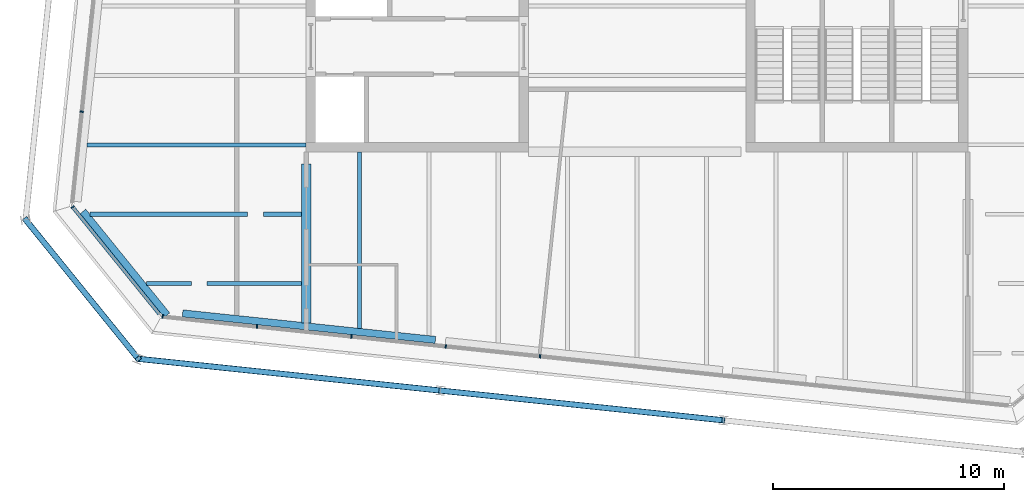
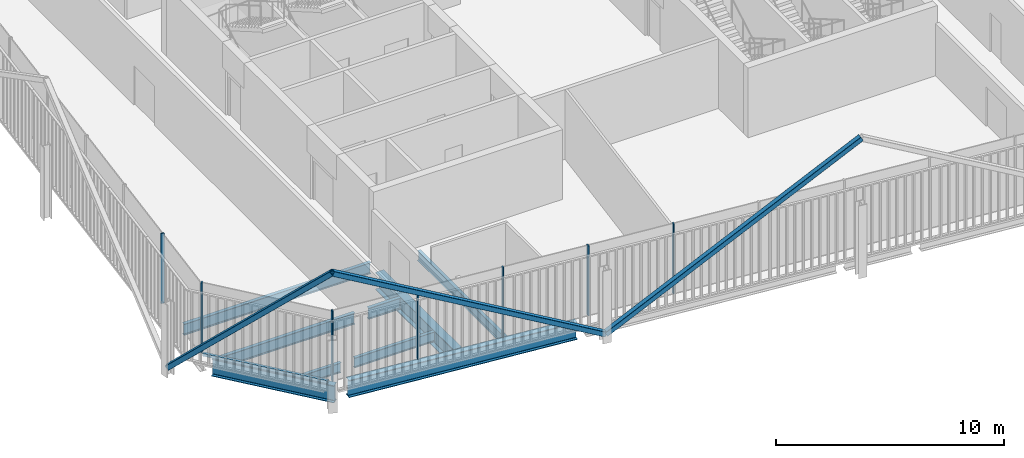
# One storey, part 3 of 21: 11 members, 9 beams, 3 elements without a shape of their own.
"""IFC4 building model written with IfcOpenShell, lengths in metres."""

from ifc_helpers import new_model, si_unit, direction, frame, origin, origin_2d, place, context, subcontext, project, spatial, rectangle, hollow_rectangle, i_section, extrude, material, layer, layer_set, material_profile, profile_set, type_object, element, aggregate, save


model = new_model("IFC4")

# Units and contexts
model_context = context("Model", 3, precision=1e-05, world=origin(), true_north=direction((0.0, 1.0)))
body_context = subcontext(model_context, "Body", "Model", "MODEL_VIEW")
ifc_project = project(units=[si_unit("LENGTHUNIT", "METRE"), si_unit("AREAUNIT", "SQUARE_METRE"), si_unit("VOLUMEUNIT", "CUBIC_METRE"), si_unit("PLANEANGLEUNIT", "RADIAN"), si_unit("MASSUNIT", "GRAM", prefix="KILO")], contexts=[model_context])

# Site, building, storey
site_placement = place(None, origin())
site = spatial("IfcSite", under=ifc_project, at=site_placement, CompositionType="ELEMENT")
building_placement = place(site_placement, origin())
building = spatial("IfcBuilding", under=site, at=building_placement, Name="Millrace Tower", CompositionType="ELEMENT")
storey_placement = place(building_placement, frame((0.0, 0.0, 276.0)))
storey = spatial("IfcBuildingStorey", under=building, at=storey_placement, Name="L63", CompositionType="ELEMENT", Elevation=276.0)

# Curtain wall, member
ifc_material_1 = material(Name="Aluminium and glass", Category="aluminium")
ifc_layer = layer(ifc_material_1, 0.14990234375)
ifc_layer_set = layer_set([ifc_layer], Name="Aluminium and glass")
curtain_wall_type = type_object("IfcCurtainWallType", Name="CW-1 office vision curtain wall", PredefinedType="NOTDEFINED", material=ifc_layer_set)
placement = place(storey_placement, origin())
curtain_wall_1 = element("IfcCurtainWall", 1, at=placement, inside=storey, type_object=curtain_wall_type, Name="Curtain wall E-F01 L63", PredefinedType="NOTDEFINED")
ifc_material_2 = material(Name="Aluminium", Category="aluminium")
ifc_material_profile_1 = material_profile(ifc_material_2, rectangle(XDim=0.06494140625, YDim=0.14990234375, at=origin_2d()))
ifc_profile_set_1 = profile_set([ifc_material_profile_1], Name="Aluminium")
member_type_1 = type_object("IfcMemberType", Name="CW-1 office vision curtain wall mullion", PredefinedType="MULLION", material=ifc_profile_set_1)
member_1_placement = place(storey_placement, frame((-24.391845703125, -11.693359375, 0.139892578125), z_axis=(0.0, 0.0, 1.0), x_axis=(0.629320278945, -0.777146052237, 0.0)))
member_1 = element("IfcMember", 2, at=member_1_placement, type_object=member_type_1, Name="CW1 mullion E-F01.1", PredefinedType="MULLION", context=body_context, shape_type="SweptSolid", body=[
    extrude(rectangle(XDim=0.06494140625, YDim=0.14990234375, at=origin_2d()), origin(), (0.0, 0.0, 1.0), 3.760009765625),
])

# Curtain wall, members
curtain_wall_2 = element("IfcCurtainWall", 3, at=placement, inside=storey, type_object=curtain_wall_type, Name="Curtain wall E-F02 L63", PredefinedType="NOTDEFINED")
member_2_placement = place(storey_placement, frame((-20.50244140625, -16.4248046875, 0.139892578125), z_axis=(0.0, 0.0, 1.0), x_axis=(0.994521896217, -0.104528455196, 0.0)))
member_2 = element("IfcMember", 4, at=member_2_placement, type_object=member_type_1, Name="CW1 mullion E-F02.1", PredefinedType="MULLION", context=body_context, shape_type="SweptSolid", body=[
    extrude(rectangle(XDim=0.06494140625, YDim=0.14990234375, at=origin_2d()), origin(), (0.0, 0.0, 1.0), 3.760009765625),
])
member_3_placement = place(storey_placement, frame((-16.425048828125, -16.853271484375, 0.139892578125), z_axis=(0.0, 0.0, 1.0), x_axis=(0.994521896217, -0.104528455196, 0.0)))
member_3 = element("IfcMember", 5, at=member_3_placement, type_object=member_type_1, Name="CW1 mullion E-F02.2", PredefinedType="MULLION", context=body_context, shape_type="SweptSolid", body=[
    extrude(rectangle(XDim=0.06494140625, YDim=0.14990234375, at=origin_2d()), origin(), (0.0, 0.0, 1.0), 3.760009765625),
])
member_4_placement = place(storey_placement, frame((-12.347412109375, -17.281982421875, 0.139892578125), z_axis=(0.0, 0.0, 1.0), x_axis=(0.994521896217, -0.104528455196, 0.0)))
member_4 = element("IfcMember", 6, at=member_4_placement, type_object=member_type_1, Name="CW1 mullion E-F02.3", PredefinedType="MULLION", context=body_context, shape_type="SweptSolid", body=[
    extrude(rectangle(XDim=0.06494140625, YDim=0.14990234375, at=origin_2d()), origin(), (0.0, 0.0, 1.0), 3.760009765625),
])
member_5_placement = place(storey_placement, frame((-8.269775390625, -17.71044921875, 0.139892578125), z_axis=(0.0, 0.0, 1.0), x_axis=(0.994521896217, -0.104528455196, 0.0)))
member_5 = element("IfcMember", 7, at=member_5_placement, type_object=member_type_1, Name="CW1 mullion E-F02.4", PredefinedType="MULLION", context=body_context, shape_type="SweptSolid", body=[
    extrude(rectangle(XDim=0.06494140625, YDim=0.14990234375, at=origin_2d()), origin(), (0.0, 0.0, 1.0), 3.760009765625),
])
member_6_placement = place(storey_placement, frame((-4.1923828125, -18.13916015625, 0.139892578125), z_axis=(0.0, 0.0, 1.0), x_axis=(0.994521896217, -0.104528455196, 0.0)))
member_6 = element("IfcMember", 8, at=member_6_placement, type_object=member_type_1, Name="CW1 mullion E-F02.5", PredefinedType="MULLION", context=body_context, shape_type="SweptSolid", body=[
    extrude(rectangle(XDim=0.06494140625, YDim=0.14990234375, at=origin_2d()), origin(), (0.0, 0.0, 1.0), 3.760009765625),
])
aggregate(curtain_wall_2, [member_2, member_3, member_4, member_5, member_6])

# Curtain wall, member
curtain_wall_3 = element("IfcCurtainWall", 9, at=placement, inside=storey, type_object=curtain_wall_type, Name="Curtain wall E-F08 L63", PredefinedType="NOTDEFINED")
member_7_placement = place(storey_placement, frame((-24.00341796875, -7.56787109375, 0.139892578125), z_axis=(0.0, 0.0, 1.0), x_axis=(-0.104528455196, -0.994521896217, 0.0)))
member_7 = element("IfcMember", 10, at=member_7_placement, type_object=member_type_1, Name="CW1 mullion E-F08.9", PredefinedType="MULLION", context=body_context, shape_type="SweptSolid", body=[
    extrude(rectangle(XDim=0.06494140625, YDim=0.14990234375, at=origin_2d()), origin(), (0.0, 0.0, 1.0), 3.760009765625),
])
aggregate(curtain_wall_3, [member_7])

# Member
ifc_material_3 = material(Name="Aluminium", Category="aluminium")
ifc_material_profile_2 = material_profile(ifc_material_3, rectangle(XDim=0.14990234375, YDim=0.139892578125, at=origin_2d()))
ifc_profile_set_2 = profile_set([ifc_material_profile_2], Name="Aluminium")
member_type_2 = type_object("IfcMemberType", Name="CW-1 office vision curtain wall transom", PredefinedType="USERDEFINED", material=ifc_profile_set_2)
member_8_placement = place(storey_placement, frame((-24.349365234375, -11.745849609375, 0.070068359375), z_axis=(0.629321221277, -0.777145289151, 0.0), x_axis=(0.777145289151, 0.629321221277, 0.0)))
member_8 = element("IfcMember", 11, at=member_8_placement, type_object=member_type_2, Name="CW1 transom E-F01.1", ObjectType="TRANSOM", PredefinedType="USERDEFINED", context=body_context, shape_type="SweptSolid", body=[
    extrude(rectangle(XDim=0.14990234375, YDim=0.139892578125, at=origin_2d()), origin(), (0.0, 0.0, 1.0), 5.881103515625),
])

aggregate(curtain_wall_1, [member_1, member_8])

# Members
ifc_material_4 = material(Name="Steel ASTM A500 Grade C", Category="steel")
ifc_material_profile_3 = material_profile(ifc_material_4, hollow_rectangle(XDim=0.25390625, YDim=0.25390625, WallThickness=0.0126953125, InnerFilletRadius=0.00634765625, OuterFilletRadius=0.01904296875, at=origin_2d()))
ifc_profile_set_3 = profile_set([ifc_material_profile_3], Name="Steel ASTM A500 Grade C")
member_type_3 = type_object("IfcMemberType", Name="Exoskeleton brace HSS10x10x1/2", PredefinedType="BRACE", material=ifc_profile_set_3)
member_9_placement = place(storey_placement, frame((-26.429443359375, -12.23583984375, 0.39990234375), z_axis=(0.466694392708, -0.57631352586, 0.670864415308), x_axis=(0.777142728993, 0.62932438279, 0.0)))
element("IfcMember", 12, at=member_9_placement, inside=storey, type_object=member_type_3, Name="BRC-E-L63-01", PredefinedType="BRACE", context=body_context, shape_type="SweptSolid", body=[
    extrude(hollow_rectangle(XDim=0.25390625, YDim=0.25390625, WallThickness=0.0126953125, InnerFilletRadius=0.00634765625, OuterFilletRadius=0.01904296875, at=origin_2d()), origin(), (0.0, 0.0, 1.0), 10.434326171875),
])
member_10_placement = place(storey_placement, frame((-8.50341796875, -19.62158203125, 0.39990234375), z_axis=(-0.877568210125, 0.092238278747, 0.470495628578), x_axis=(-0.104530865473, -0.994521642883, 0.0)))
element("IfcMember", 13, at=member_10_placement, inside=storey, type_object=member_type_3, Name="BRC-E-L63-02", PredefinedType="BRACE", context=body_context, shape_type="SweptSolid", body=[
    extrude(hollow_rectangle(XDim=0.25390625, YDim=0.25390625, WallThickness=0.0126953125, InnerFilletRadius=0.00634765625, OuterFilletRadius=0.01904296875, at=origin_2d()), origin(), (0.0, 0.0, 1.0), 14.8779296875),
])
member_11_placement = place(storey_placement, frame((-8.50341796875, -19.62158203125, 0.39990234375), z_axis=(0.864351522622, -0.090842732624, 0.494615045537), x_axis=(0.104523600289, 0.994522406476, 0.0)))
element("IfcMember", 14, at=member_11_placement, inside=storey, type_object=member_type_3, Name="BRC-E-L63-03", PredefinedType="BRACE", context=body_context, shape_type="SweptSolid", body=[
    extrude(hollow_rectangle(XDim=0.25390625, YDim=0.25390625, WallThickness=0.0126953125, InnerFilletRadius=0.00634765625, OuterFilletRadius=0.01904296875, at=origin_2d()), origin(), (0.0, 0.0, 1.0), 14.15234375),
])

# Beams
ifc_material_5 = material(Name="Steel ASTM A992 Grade 50", Category="steel")
ifc_material_profile_4 = material_profile(ifc_material_5, i_section(OverallWidth=0.1650390625, OverallDepth=0.52587890625, WebThickness=0.0087890625, FlangeThickness=0.011474609375, FilletRadius=0.0126953125, at=origin_2d()))
ifc_profile_set_4 = profile_set([ifc_material_profile_4], Name="Steel ASTM A992 Grade 50")
beam_type_1 = type_object("IfcBeamType", Name="Floor beam W21x44", PredefinedType="JOIST", material=ifc_profile_set_4)
beam_1_placement = place(storey_placement, frame((-12.0, -16.93408203125, -0.4228515625), z_axis=(0.0, 1.0, 0.0), x_axis=(-1.0, 0.0, 0.0)))
element("IfcBeam", 15, at=beam_1_placement, inside=storey, type_object=beam_type_1, Name="BM-E-L63-S1-S037", PredefinedType="JOIST", context=body_context, shape_type="SweptSolid", body=[
    extrude(i_section(OverallWidth=0.1650390625, OverallDepth=0.52587890625, WebThickness=0.0087890625, FlangeThickness=0.011474609375, FilletRadius=0.0126953125, at=origin_2d()), origin(), (0.0, 0.0, 1.0), 7.634033203125),
])
beam_2_placement = place(storey_placement, frame((-21.214111328125, -15.0, -0.4228515625), z_axis=(1.0, 0.0, 0.0), x_axis=(0.0, 1.0, 0.0)))
element("IfcBeam", 16, at=beam_2_placement, inside=storey, type_object=beam_type_1, Name="BM-E-L63-S1-S002-a", PredefinedType="JOIST", context=body_context, shape_type="SweptSolid", body=[
    extrude(i_section(OverallWidth=0.1650390625, OverallDepth=0.52587890625, WebThickness=0.0087890625, FlangeThickness=0.011474609375, FilletRadius=0.0126953125, at=origin_2d()), origin(), (0.0, 0.0, 1.0), 1.94677734375),
])
beam_3_placement = place(storey_placement, frame((-18.58056640625, -15.0, -0.4228515625), z_axis=(1.0, 0.0, 0.0), x_axis=(0.0, 1.0, 0.0)))
element("IfcBeam", 17, at=beam_3_placement, inside=storey, type_object=beam_type_1, Name="BM-E-L63-S1-S002-b", PredefinedType="JOIST", context=body_context, shape_type="SweptSolid", body=[
    extrude(i_section(OverallWidth=0.1650390625, OverallDepth=0.52587890625, WebThickness=0.0087890625, FlangeThickness=0.011474609375, FilletRadius=0.0126953125, at=origin_2d()), origin(), (0.0, 0.0, 1.0), 4.071044921875),
])
ifc_material_6 = material(Name="Steel ASTM A992 Grade 50", Category="steel")
ifc_material_profile_5 = material_profile(ifc_material_6, i_section(OverallWidth=0.177978515625, OverallDepth=0.599365234375, WebThickness=0.010009765625, FlangeThickness=0.012939453125, FilletRadius=0.012939453125, at=origin_2d()))
ifc_profile_set_5 = profile_set([ifc_material_profile_5], Name="Steel ASTM A992 Grade 50")
beam_type_2 = type_object("IfcBeamType", Name="Floor beam W24x55", PredefinedType="JOIST", material=ifc_profile_set_5)
beam_4_placement = place(storey_placement, frame((-23.76953125, -9.0, -0.459716796875), z_axis=(1.0, 0.0, 0.0), x_axis=(0.0, 1.0, 0.0)))
element("IfcBeam", 18, at=beam_4_placement, inside=storey, type_object=beam_type_2, Name="BM-E-L63-S1-S006", PredefinedType="JOIST", context=body_context, shape_type="SweptSolid", body=[
    extrude(i_section(OverallWidth=0.177978515625, OverallDepth=0.599365234375, WebThickness=0.010009765625, FlangeThickness=0.012939453125, FilletRadius=0.012939453125, at=origin_2d()), origin(), (0.0, 0.0, 1.0), 9.469482421875),
])
beam_5_placement = place(storey_placement, frame((-23.635498046875, -12.0, -0.459716796875), z_axis=(1.0, 0.0, 0.0), x_axis=(0.0, 1.0, 0.0)))
element("IfcBeam", 19, at=beam_5_placement, inside=storey, type_object=beam_type_2, Name="BM-E-L63-S1-S004-a", PredefinedType="JOIST", context=body_context, shape_type="SweptSolid", body=[
    extrude(i_section(OverallWidth=0.177978515625, OverallDepth=0.599365234375, WebThickness=0.010009765625, FlangeThickness=0.012939453125, FilletRadius=0.012939453125, at=origin_2d()), origin(), (0.0, 0.0, 1.0), 6.79736328125),
])
beam_6_placement = place(storey_placement, frame((-16.142578125, -12.0, -0.459716796875), z_axis=(1.0, 0.0, 0.0), x_axis=(0.0, 1.0, 0.0)))
element("IfcBeam", 20, at=beam_6_placement, inside=storey, type_object=beam_type_2, Name="BM-E-L63-S1-S004-b", PredefinedType="JOIST", context=body_context, shape_type="SweptSolid", body=[
    extrude(i_section(OverallWidth=0.177978515625, OverallDepth=0.599365234375, WebThickness=0.010009765625, FlangeThickness=0.012939453125, FilletRadius=0.012939453125, at=origin_2d()), origin(), (0.0, 0.0, 1.0), 1.633056640625),
])
ifc_material_7 = material(Name="Steel ASTM A992 Grade 50", Category="steel")
ifc_material_profile_6 = material_profile(ifc_material_7, i_section(OverallWidth=0.419189453125, OverallDepth=0.927001953125, WebThickness=0.019287109375, FlangeThickness=0.031982421875, FilletRadius=0.024169921875, at=origin_2d()))
ifc_profile_set_6 = profile_set([ifc_material_profile_6], Name="Steel ASTM A992 Grade 50")
beam_type_3 = type_object("IfcBeamType", Name="Girder short span W36x231", PredefinedType="BEAM", material=ifc_profile_set_6)
beam_7_placement = place(storey_placement, frame((-14.300048828125, -16.6923828125, -0.62353515625), z_axis=(0.0, 1.0, 0.0), x_axis=(-1.0, 0.0, 0.0)))
element("IfcBeam", 21, at=beam_7_placement, inside=storey, type_object=beam_type_3, Name="BM-E-L63-S1-G055", PredefinedType="BEAM", context=body_context, shape_type="SweptSolid", body=[
    extrude(i_section(OverallWidth=0.419189453125, OverallDepth=0.927001953125, WebThickness=0.019287109375, FlangeThickness=0.031982421875, FilletRadius=0.024169921875, at=origin_2d()), origin(), (0.0, 0.0, 1.0), 6.86767578125),
])
ifc_material_8 = material(Name="Steel ASTM A992 Grade 50", Category="steel")
ifc_material_profile_7 = material_profile(ifc_material_8, i_section(OverallWidth=0.307373046875, OverallDepth=0.927001953125, WebThickness=0.01953125, FlangeThickness=0.031982421875, FilletRadius=0.01904296875, at=origin_2d()))
ifc_profile_set_7 = profile_set([ifc_material_profile_7], Name="Steel ASTM A992 Grade 50")
beam_type_4 = type_object("IfcBeamType", Name="Ring beam short span W36x194", PredefinedType="SPANDREL", material=ifc_profile_set_7)
beam_8_placement = place(storey_placement, frame((-20.316650390625, -16.3623046875, -0.62353515625), z_axis=(-0.629318750041, 0.777147290317, 0.0), x_axis=(-0.777147290317, -0.629318750041, 0.0)))
element("IfcBeam", 22, at=beam_8_placement, inside=storey, type_object=beam_type_4, Name="RNG-E-L63-S1-16", PredefinedType="SPANDREL", context=body_context, shape_type="SweptSolid", body=[
    extrude(i_section(OverallWidth=0.307373046875, OverallDepth=0.927001953125, WebThickness=0.01953125, FlangeThickness=0.031982421875, FilletRadius=0.01904296875, at=origin_2d()), origin(), (0.0, 0.0, 1.0), 5.768798828125),
])
beam_9_placement = place(storey_placement, frame((-8.715576171875, -17.433837890625, -0.62353515625), z_axis=(-0.994521514068, 0.104532091035, 0.0), x_axis=(-0.104532091035, -0.994521514068, 0.0)))
element("IfcBeam", 23, at=beam_9_placement, inside=storey, type_object=beam_type_4, Name="RNG-E-L63-S1-15", PredefinedType="SPANDREL", context=body_context, shape_type="SweptSolid", body=[
    extrude(i_section(OverallWidth=0.307373046875, OverallDepth=0.927001953125, WebThickness=0.01953125, FlangeThickness=0.031982421875, FilletRadius=0.01904296875, at=origin_2d()), origin(), (0.0, 0.0, 1.0), 10.986572265625),
])

save(model, "model.ifc")
